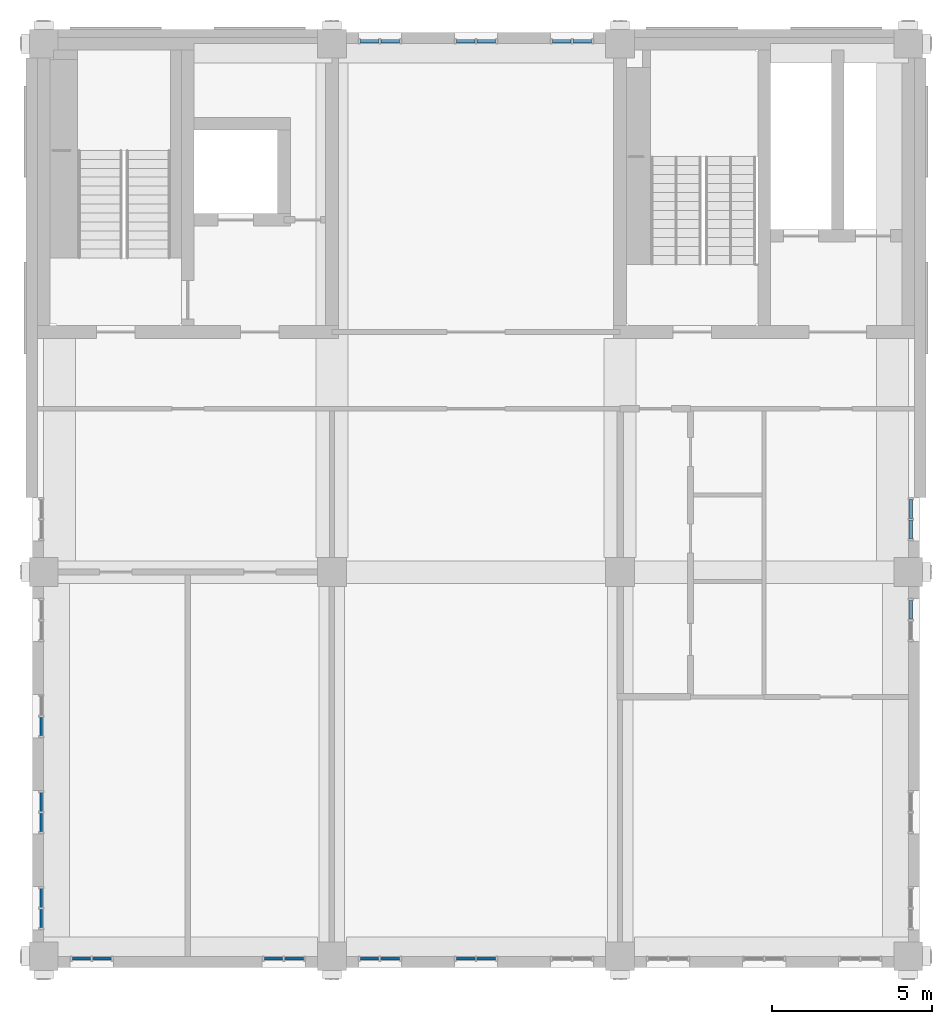
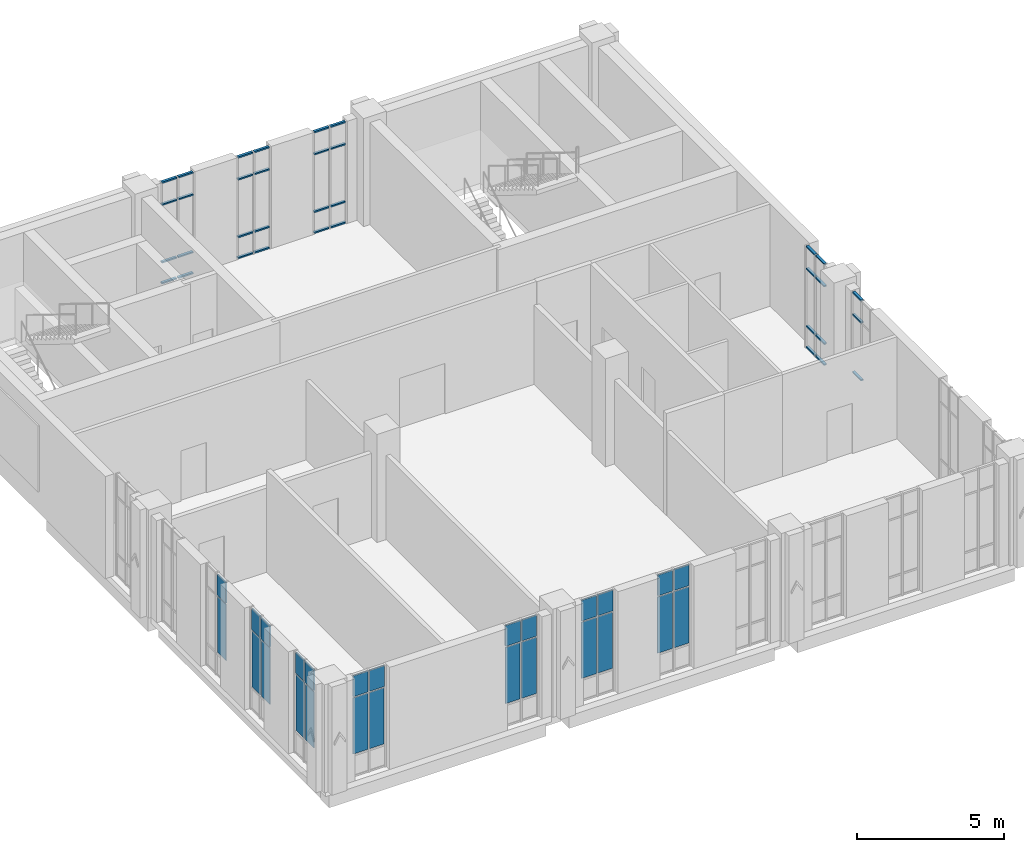
# One storey, part 6 of 13: 35 members, 26 plates, 12 elements without a shape of their own.
"""IFC4 building model written with IfcOpenShell, lengths in metres."""

from ifc_helpers import new_model, si_unit, direction, frame, origin, origin_2d, place, context, subcontext, project, spatial, rectangle, extrude, material, layer, layer_set, material_profile, profile_set, type_object, element, aggregate, save


model = new_model("IFC4")

# Units and contexts
model_context = context("Model", 3, precision=1e-05, world=origin(), true_north=direction((0.0, 1.0)))
body_context = subcontext(model_context, "Body", "Model", "MODEL_VIEW")
ifc_project = project(units=[si_unit("LENGTHUNIT", "METRE"), si_unit("AREAUNIT", "SQUARE_METRE"), si_unit("VOLUMEUNIT", "CUBIC_METRE"), si_unit("PLANEANGLEUNIT", "RADIAN"), si_unit("MASSUNIT", "GRAM", prefix="KILO")], contexts=[model_context])

# Site, building, storey
site_placement = place(None, origin())
site = spatial("IfcSite", under=ifc_project, at=site_placement, CompositionType="ELEMENT")
building_placement = place(site_placement, origin())
building = spatial("IfcBuilding", under=site, at=building_placement, Name="Aurelan Courthouse", CompositionType="ELEMENT")
storey_placement = place(building_placement, frame((0.0, 0.0, 48.89990234375)))
storey = spatial("IfcBuildingStorey", under=building, at=storey_placement, Name="L09", CompositionType="ELEMENT", Elevation=48.89990234375)

# Curtain wall, members
ifc_material_1 = material(Name="Bronze-finished aluminium and glass", Category="aluminium")
ifc_layer_1 = layer(ifc_material_1, 0.14990234375)
ifc_layer_set_1 = layer_set([ifc_layer_1], Name="Bronze-finished aluminium and glass")
curtain_wall_type = type_object("IfcCurtainWallType", Name="Curtain wall 1350 x 4250", PredefinedType="NOTDEFINED", material=ifc_layer_set_1)
curtain_wall_1_placement = place(storey_placement, origin())
curtain_wall_1 = element("IfcCurtainWall", 1, at=curtain_wall_1_placement, inside=storey, type_object=curtain_wall_type, Name="Curtain wall CW-V5-L09-N01", PredefinedType="NOTDEFINED")
ifc_material_2 = material(Name="Bronze-finished aluminium", Category="aluminium")
ifc_material_profile = material_profile(ifc_material_2, rectangle(XDim=0.10009765625, YDim=0.06005859375, at=origin_2d()), Name="Bronze transom 60 x 100")
ifc_profile_set = profile_set([ifc_material_profile], Name="Bronze-finished aluminium")
member_type = type_object("IfcMemberType", Name="Curtain wall transom 60 x 100", PredefinedType="USERDEFINED", material=ifc_profile_set)
member_1_placement = place(storey_placement, frame((9.885009765625, 28.574951171875, 0.030029296875), z_axis=(1.0, 0.0, 0.0), x_axis=(0.0, 1.0, 0.0)))
member_1 = element("IfcMember", 2, at=member_1_placement, type_object=member_type, Name="CW-V5-L09-N01 transom 1.1", ObjectType="TRANSOM", PredefinedType="USERDEFINED", context=body_context, shape_type="SweptSolid", body=[
    extrude(rectangle(XDim=0.10009765625, YDim=0.06005859375, at=origin_2d()), origin(), (0.0, 0.0, 1.0), 0.5849609375),
])
member_2_placement = place(storey_placement, frame((9.885009765625, 28.574951171875, 0.900146484375), z_axis=(1.0, 0.0, 0.0), x_axis=(0.0, 1.0, 0.0)))
member_2 = element("IfcMember", 3, at=member_2_placement, type_object=member_type, Name="CW-V5-L09-N01 transom 1.2", ObjectType="TRANSOM", PredefinedType="USERDEFINED", context=body_context, shape_type="SweptSolid", body=[
    extrude(rectangle(XDim=0.10009765625, YDim=0.06005859375, at=origin_2d()), origin(), (0.0, 0.0, 1.0), 0.5849609375),
])
member_3_placement = place(storey_placement, frame((9.885009765625, 28.574951171875, 3.300048828125), z_axis=(1.0, 0.0, 0.0), x_axis=(0.0, 1.0, 0.0)))
member_3 = element("IfcMember", 4, at=member_3_placement, type_object=member_type, Name="CW-V5-L09-N01 transom 1.3", ObjectType="TRANSOM", PredefinedType="USERDEFINED", context=body_context, shape_type="SweptSolid", body=[
    extrude(rectangle(XDim=0.10009765625, YDim=0.06005859375, at=origin_2d()), origin(), (0.0, 0.0, 1.0), 0.5849609375),
])
member_4_placement = place(storey_placement, frame((9.885009765625, 28.574951171875, 4.22021484375), z_axis=(1.0, 0.0, 0.0), x_axis=(0.0, 1.0, 0.0)))
member_4 = element("IfcMember", 5, at=member_4_placement, type_object=member_type, Name="CW-V5-L09-N01 transom 1.4", ObjectType="TRANSOM", PredefinedType="USERDEFINED", context=body_context, shape_type="SweptSolid", body=[
    extrude(rectangle(XDim=0.10009765625, YDim=0.06005859375, at=origin_2d()), origin(), (0.0, 0.0, 1.0), 0.5849609375),
])
member_5_placement = place(storey_placement, frame((10.530029296875, 28.574951171875, 0.030029296875), z_axis=(1.0, 0.0, 0.0), x_axis=(0.0, 1.0, 0.0)))
member_5 = element("IfcMember", 6, at=member_5_placement, type_object=member_type, Name="CW-V5-L09-N01 transom 2.1", ObjectType="TRANSOM", PredefinedType="USERDEFINED", context=body_context, shape_type="SweptSolid", body=[
    extrude(rectangle(XDim=0.10009765625, YDim=0.06005859375, at=origin_2d()), origin(), (0.0, 0.0, 1.0), 0.5849609375),
])
member_6_placement = place(storey_placement, frame((10.530029296875, 28.574951171875, 0.900146484375), z_axis=(1.0, 0.0, 0.0), x_axis=(0.0, 1.0, 0.0)))
member_6 = element("IfcMember", 7, at=member_6_placement, type_object=member_type, Name="CW-V5-L09-N01 transom 2.2", ObjectType="TRANSOM", PredefinedType="USERDEFINED", context=body_context, shape_type="SweptSolid", body=[
    extrude(rectangle(XDim=0.10009765625, YDim=0.06005859375, at=origin_2d()), origin(), (0.0, 0.0, 1.0), 0.5849609375),
])
member_7_placement = place(storey_placement, frame((10.530029296875, 28.574951171875, 3.300048828125), z_axis=(1.0, 0.0, 0.0), x_axis=(0.0, 1.0, 0.0)))
member_7 = element("IfcMember", 8, at=member_7_placement, type_object=member_type, Name="CW-V5-L09-N01 transom 2.3", ObjectType="TRANSOM", PredefinedType="USERDEFINED", context=body_context, shape_type="SweptSolid", body=[
    extrude(rectangle(XDim=0.10009765625, YDim=0.06005859375, at=origin_2d()), origin(), (0.0, 0.0, 1.0), 0.5849609375),
])
member_8_placement = place(storey_placement, frame((10.530029296875, 28.574951171875, 4.22021484375), z_axis=(1.0, 0.0, 0.0), x_axis=(0.0, 1.0, 0.0)))
member_8 = element("IfcMember", 9, at=member_8_placement, type_object=member_type, Name="CW-V5-L09-N01 transom 2.4", ObjectType="TRANSOM", PredefinedType="USERDEFINED", context=body_context, shape_type="SweptSolid", body=[
    extrude(rectangle(XDim=0.10009765625, YDim=0.06005859375, at=origin_2d()), origin(), (0.0, 0.0, 1.0), 0.5849609375),
])
aggregate(curtain_wall_1, [member_1, member_2, member_3, member_4, member_5, member_6, member_7, member_8])

curtain_wall_2_placement = place(storey_placement, origin())
curtain_wall_2 = element("IfcCurtainWall", 10, at=curtain_wall_2_placement, inside=storey, type_object=curtain_wall_type, Name="Curtain wall CW-V5-L09-N02", PredefinedType="NOTDEFINED")
member_9_placement = place(storey_placement, frame((12.885009765625, 28.574951171875, 0.030029296875), z_axis=(1.0, 0.0, 0.0), x_axis=(0.0, 1.0, 0.0)))
member_9 = element("IfcMember", 11, at=member_9_placement, type_object=member_type, Name="CW-V5-L09-N02 transom 1.1", ObjectType="TRANSOM", PredefinedType="USERDEFINED", context=body_context, shape_type="SweptSolid", body=[
    extrude(rectangle(XDim=0.10009765625, YDim=0.06005859375, at=origin_2d()), origin(), (0.0, 0.0, 1.0), 0.5849609375),
])
member_10_placement = place(storey_placement, frame((12.885009765625, 28.574951171875, 0.900146484375), z_axis=(1.0, 0.0, 0.0), x_axis=(0.0, 1.0, 0.0)))
member_10 = element("IfcMember", 12, at=member_10_placement, type_object=member_type, Name="CW-V5-L09-N02 transom 1.2", ObjectType="TRANSOM", PredefinedType="USERDEFINED", context=body_context, shape_type="SweptSolid", body=[
    extrude(rectangle(XDim=0.10009765625, YDim=0.06005859375, at=origin_2d()), origin(), (0.0, 0.0, 1.0), 0.5849609375),
])
member_11_placement = place(storey_placement, frame((12.885009765625, 28.574951171875, 3.300048828125), z_axis=(1.0, 0.0, 0.0), x_axis=(0.0, 1.0, 0.0)))
member_11 = element("IfcMember", 13, at=member_11_placement, type_object=member_type, Name="CW-V5-L09-N02 transom 1.3", ObjectType="TRANSOM", PredefinedType="USERDEFINED", context=body_context, shape_type="SweptSolid", body=[
    extrude(rectangle(XDim=0.10009765625, YDim=0.06005859375, at=origin_2d()), origin(), (0.0, 0.0, 1.0), 0.5849609375),
])
member_12_placement = place(storey_placement, frame((12.885009765625, 28.574951171875, 4.22021484375), z_axis=(1.0, 0.0, 0.0), x_axis=(0.0, 1.0, 0.0)))
member_12 = element("IfcMember", 14, at=member_12_placement, type_object=member_type, Name="CW-V5-L09-N02 transom 1.4", ObjectType="TRANSOM", PredefinedType="USERDEFINED", context=body_context, shape_type="SweptSolid", body=[
    extrude(rectangle(XDim=0.10009765625, YDim=0.06005859375, at=origin_2d()), origin(), (0.0, 0.0, 1.0), 0.5849609375),
])
member_13_placement = place(storey_placement, frame((13.530029296875, 28.574951171875, 0.030029296875), z_axis=(1.0, 0.0, 0.0), x_axis=(0.0, 1.0, 0.0)))
member_13 = element("IfcMember", 15, at=member_13_placement, type_object=member_type, Name="CW-V5-L09-N02 transom 2.1", ObjectType="TRANSOM", PredefinedType="USERDEFINED", context=body_context, shape_type="SweptSolid", body=[
    extrude(rectangle(XDim=0.10009765625, YDim=0.06005859375, at=origin_2d()), origin(), (0.0, 0.0, 1.0), 0.5849609375),
])
member_14_placement = place(storey_placement, frame((13.530029296875, 28.574951171875, 0.900146484375), z_axis=(1.0, 0.0, 0.0), x_axis=(0.0, 1.0, 0.0)))
member_14 = element("IfcMember", 16, at=member_14_placement, type_object=member_type, Name="CW-V5-L09-N02 transom 2.2", ObjectType="TRANSOM", PredefinedType="USERDEFINED", context=body_context, shape_type="SweptSolid", body=[
    extrude(rectangle(XDim=0.10009765625, YDim=0.06005859375, at=origin_2d()), origin(), (0.0, 0.0, 1.0), 0.5849609375),
])
member_15_placement = place(storey_placement, frame((13.530029296875, 28.574951171875, 3.300048828125), z_axis=(1.0, 0.0, 0.0), x_axis=(0.0, 1.0, 0.0)))
member_15 = element("IfcMember", 17, at=member_15_placement, type_object=member_type, Name="CW-V5-L09-N02 transom 2.3", ObjectType="TRANSOM", PredefinedType="USERDEFINED", context=body_context, shape_type="SweptSolid", body=[
    extrude(rectangle(XDim=0.10009765625, YDim=0.06005859375, at=origin_2d()), origin(), (0.0, 0.0, 1.0), 0.5849609375),
])
member_16_placement = place(storey_placement, frame((13.530029296875, 28.574951171875, 4.22021484375), z_axis=(1.0, 0.0, 0.0), x_axis=(0.0, 1.0, 0.0)))
member_16 = element("IfcMember", 18, at=member_16_placement, type_object=member_type, Name="CW-V5-L09-N02 transom 2.4", ObjectType="TRANSOM", PredefinedType="USERDEFINED", context=body_context, shape_type="SweptSolid", body=[
    extrude(rectangle(XDim=0.10009765625, YDim=0.06005859375, at=origin_2d()), origin(), (0.0, 0.0, 1.0), 0.5849609375),
])
aggregate(curtain_wall_2, [member_9, member_10, member_11, member_12, member_13, member_14, member_15, member_16])

curtain_wall_3_placement = place(storey_placement, origin())
curtain_wall_3 = element("IfcCurtainWall", 19, at=curtain_wall_3_placement, inside=storey, type_object=curtain_wall_type, Name="Curtain wall CW-V5-L09-N03", PredefinedType="NOTDEFINED")
member_17_placement = place(storey_placement, frame((15.885009765625, 28.574951171875, 0.030029296875), z_axis=(1.0, 0.0, 0.0), x_axis=(0.0, 1.0, 0.0)))
member_17 = element("IfcMember", 20, at=member_17_placement, type_object=member_type, Name="CW-V5-L09-N03 transom 1.1", ObjectType="TRANSOM", PredefinedType="USERDEFINED", context=body_context, shape_type="SweptSolid", body=[
    extrude(rectangle(XDim=0.10009765625, YDim=0.06005859375, at=origin_2d()), origin(), (0.0, 0.0, 1.0), 0.5849609375),
])
member_18_placement = place(storey_placement, frame((15.885009765625, 28.574951171875, 0.900146484375), z_axis=(1.0, 0.0, 0.0), x_axis=(0.0, 1.0, 0.0)))
member_18 = element("IfcMember", 21, at=member_18_placement, type_object=member_type, Name="CW-V5-L09-N03 transom 1.2", ObjectType="TRANSOM", PredefinedType="USERDEFINED", context=body_context, shape_type="SweptSolid", body=[
    extrude(rectangle(XDim=0.10009765625, YDim=0.06005859375, at=origin_2d()), origin(), (0.0, 0.0, 1.0), 0.5849609375),
])
member_19_placement = place(storey_placement, frame((15.885009765625, 28.574951171875, 3.300048828125), z_axis=(1.0, 0.0, 0.0), x_axis=(0.0, 1.0, 0.0)))
member_19 = element("IfcMember", 22, at=member_19_placement, type_object=member_type, Name="CW-V5-L09-N03 transom 1.3", ObjectType="TRANSOM", PredefinedType="USERDEFINED", context=body_context, shape_type="SweptSolid", body=[
    extrude(rectangle(XDim=0.10009765625, YDim=0.06005859375, at=origin_2d()), origin(), (0.0, 0.0, 1.0), 0.5849609375),
])
member_20_placement = place(storey_placement, frame((15.885009765625, 28.574951171875, 4.22021484375), z_axis=(1.0, 0.0, 0.0), x_axis=(0.0, 1.0, 0.0)))
member_20 = element("IfcMember", 23, at=member_20_placement, type_object=member_type, Name="CW-V5-L09-N03 transom 1.4", ObjectType="TRANSOM", PredefinedType="USERDEFINED", context=body_context, shape_type="SweptSolid", body=[
    extrude(rectangle(XDim=0.10009765625, YDim=0.06005859375, at=origin_2d()), origin(), (0.0, 0.0, 1.0), 0.5849609375),
])
member_21_placement = place(storey_placement, frame((16.530029296875, 28.574951171875, 0.030029296875), z_axis=(1.0, 0.0, 0.0), x_axis=(0.0, 1.0, 0.0)))
member_21 = element("IfcMember", 24, at=member_21_placement, type_object=member_type, Name="CW-V5-L09-N03 transom 2.1", ObjectType="TRANSOM", PredefinedType="USERDEFINED", context=body_context, shape_type="SweptSolid", body=[
    extrude(rectangle(XDim=0.10009765625, YDim=0.06005859375, at=origin_2d()), origin(), (0.0, 0.0, 1.0), 0.5849609375),
])
member_22_placement = place(storey_placement, frame((16.530029296875, 28.574951171875, 0.900146484375), z_axis=(1.0, 0.0, 0.0), x_axis=(0.0, 1.0, 0.0)))
member_22 = element("IfcMember", 25, at=member_22_placement, type_object=member_type, Name="CW-V5-L09-N03 transom 2.2", ObjectType="TRANSOM", PredefinedType="USERDEFINED", context=body_context, shape_type="SweptSolid", body=[
    extrude(rectangle(XDim=0.10009765625, YDim=0.06005859375, at=origin_2d()), origin(), (0.0, 0.0, 1.0), 0.5849609375),
])
member_23_placement = place(storey_placement, frame((16.530029296875, 28.574951171875, 3.300048828125), z_axis=(1.0, 0.0, 0.0), x_axis=(0.0, 1.0, 0.0)))
member_23 = element("IfcMember", 26, at=member_23_placement, type_object=member_type, Name="CW-V5-L09-N03 transom 2.3", ObjectType="TRANSOM", PredefinedType="USERDEFINED", context=body_context, shape_type="SweptSolid", body=[
    extrude(rectangle(XDim=0.10009765625, YDim=0.06005859375, at=origin_2d()), origin(), (0.0, 0.0, 1.0), 0.5849609375),
])
member_24_placement = place(storey_placement, frame((16.530029296875, 28.574951171875, 4.22021484375), z_axis=(1.0, 0.0, 0.0), x_axis=(0.0, 1.0, 0.0)))
member_24 = element("IfcMember", 27, at=member_24_placement, type_object=member_type, Name="CW-V5-L09-N03 transom 2.4", ObjectType="TRANSOM", PredefinedType="USERDEFINED", context=body_context, shape_type="SweptSolid", body=[
    extrude(rectangle(XDim=0.10009765625, YDim=0.06005859375, at=origin_2d()), origin(), (0.0, 0.0, 1.0), 0.5849609375),
])
aggregate(curtain_wall_3, [member_17, member_18, member_19, member_20, member_21, member_22, member_23, member_24])

curtain_wall_4_placement = place(storey_placement, origin())
curtain_wall_4 = element("IfcCurtainWall", 28, at=curtain_wall_4_placement, inside=storey, type_object=curtain_wall_type, Name="Curtain wall CW-V5-L09-E03", PredefinedType="NOTDEFINED")
member_25_placement = place(storey_placement, frame((27.074951171875, 10.530029296875, 0.900146484375), z_axis=(0.0, 1.0, 0.0), x_axis=(-1.0, 0.0, 0.0)))
member_25 = element("IfcMember", 29, at=member_25_placement, type_object=member_type, Name="CW-V5-L09-E03 transom 2.2", ObjectType="TRANSOM", PredefinedType="USERDEFINED", context=body_context, shape_type="SweptSolid", body=[
    extrude(rectangle(XDim=0.10009765625, YDim=0.06005859375, at=origin_2d()), origin(), (0.0, 0.0, 1.0), 0.5849609375),
])
member_26_placement = place(storey_placement, frame((27.074951171875, 10.530029296875, 3.300048828125), z_axis=(0.0, 1.0, 0.0), x_axis=(-1.0, 0.0, 0.0)))
member_26 = element("IfcMember", 30, at=member_26_placement, type_object=member_type, Name="CW-V5-L09-E03 transom 2.3", ObjectType="TRANSOM", PredefinedType="USERDEFINED", context=body_context, shape_type="SweptSolid", body=[
    extrude(rectangle(XDim=0.10009765625, YDim=0.06005859375, at=origin_2d()), origin(), (0.0, 0.0, 1.0), 0.5849609375),
])
member_27_placement = place(storey_placement, frame((27.074951171875, 10.530029296875, 4.22021484375), z_axis=(0.0, 1.0, 0.0), x_axis=(-1.0, 0.0, 0.0)))
member_27 = element("IfcMember", 31, at=member_27_placement, type_object=member_type, Name="CW-V5-L09-E03 transom 2.4", ObjectType="TRANSOM", PredefinedType="USERDEFINED", context=body_context, shape_type="SweptSolid", body=[
    extrude(rectangle(XDim=0.10009765625, YDim=0.06005859375, at=origin_2d()), origin(), (0.0, 0.0, 1.0), 0.5849609375),
])
aggregate(curtain_wall_4, [member_25, member_26, member_27])

curtain_wall_5_placement = place(storey_placement, origin())
curtain_wall_5 = element("IfcCurtainWall", 32, at=curtain_wall_5_placement, inside=storey, type_object=curtain_wall_type, Name="Curtain wall CW-V5-L09-E04", PredefinedType="NOTDEFINED")
member_28_placement = place(storey_placement, frame((27.074951171875, 13.034912109375, 0.030029296875), z_axis=(0.0, 1.0, 0.0), x_axis=(-1.0, 0.0, 0.0)))
member_28 = element("IfcMember", 33, at=member_28_placement, type_object=member_type, Name="CW-V5-L09-E04 transom 1.1", ObjectType="TRANSOM", PredefinedType="USERDEFINED", context=body_context, shape_type="SweptSolid", body=[
    extrude(rectangle(XDim=0.10009765625, YDim=0.06005859375, at=origin_2d()), origin(), (0.0, 0.0, 1.0), 0.585205078125),
])
member_29_placement = place(storey_placement, frame((27.074951171875, 13.034912109375, 0.900146484375), z_axis=(0.0, 1.0, 0.0), x_axis=(-1.0, 0.0, 0.0)))
member_29 = element("IfcMember", 34, at=member_29_placement, type_object=member_type, Name="CW-V5-L09-E04 transom 1.2", ObjectType="TRANSOM", PredefinedType="USERDEFINED", context=body_context, shape_type="SweptSolid", body=[
    extrude(rectangle(XDim=0.10009765625, YDim=0.06005859375, at=origin_2d()), origin(), (0.0, 0.0, 1.0), 0.585205078125),
])
member_30_placement = place(storey_placement, frame((27.074951171875, 13.034912109375, 3.300048828125), z_axis=(0.0, 1.0, 0.0), x_axis=(-1.0, 0.0, 0.0)))
member_30 = element("IfcMember", 35, at=member_30_placement, type_object=member_type, Name="CW-V5-L09-E04 transom 1.3", ObjectType="TRANSOM", PredefinedType="USERDEFINED", context=body_context, shape_type="SweptSolid", body=[
    extrude(rectangle(XDim=0.10009765625, YDim=0.06005859375, at=origin_2d()), origin(), (0.0, 0.0, 1.0), 0.585205078125),
])
member_31_placement = place(storey_placement, frame((27.074951171875, 13.034912109375, 4.22021484375), z_axis=(0.0, 1.0, 0.0), x_axis=(-1.0, 0.0, 0.0)))
member_31 = element("IfcMember", 36, at=member_31_placement, type_object=member_type, Name="CW-V5-L09-E04 transom 1.4", ObjectType="TRANSOM", PredefinedType="USERDEFINED", context=body_context, shape_type="SweptSolid", body=[
    extrude(rectangle(XDim=0.10009765625, YDim=0.06005859375, at=origin_2d()), origin(), (0.0, 0.0, 1.0), 0.585205078125),
])
member_32_placement = place(storey_placement, frame((27.074951171875, 13.679931640625, 0.030029296875), z_axis=(0.0, 1.0, 0.0), x_axis=(-1.0, 0.0, 0.0)))
member_32 = element("IfcMember", 37, at=member_32_placement, type_object=member_type, Name="CW-V5-L09-E04 transom 2.1", ObjectType="TRANSOM", PredefinedType="USERDEFINED", context=body_context, shape_type="SweptSolid", body=[
    extrude(rectangle(XDim=0.10009765625, YDim=0.06005859375, at=origin_2d()), origin(), (0.0, 0.0, 1.0), 0.5849609375),
])
member_33_placement = place(storey_placement, frame((27.074951171875, 13.679931640625, 0.900146484375), z_axis=(0.0, 1.0, 0.0), x_axis=(-1.0, 0.0, 0.0)))
member_33 = element("IfcMember", 38, at=member_33_placement, type_object=member_type, Name="CW-V5-L09-E04 transom 2.2", ObjectType="TRANSOM", PredefinedType="USERDEFINED", context=body_context, shape_type="SweptSolid", body=[
    extrude(rectangle(XDim=0.10009765625, YDim=0.06005859375, at=origin_2d()), origin(), (0.0, 0.0, 1.0), 0.5849609375),
])
member_34_placement = place(storey_placement, frame((27.074951171875, 13.679931640625, 3.300048828125), z_axis=(0.0, 1.0, 0.0), x_axis=(-1.0, 0.0, 0.0)))
member_34 = element("IfcMember", 39, at=member_34_placement, type_object=member_type, Name="CW-V5-L09-E04 transom 2.3", ObjectType="TRANSOM", PredefinedType="USERDEFINED", context=body_context, shape_type="SweptSolid", body=[
    extrude(rectangle(XDim=0.10009765625, YDim=0.06005859375, at=origin_2d()), origin(), (0.0, 0.0, 1.0), 0.5849609375),
])
member_35_placement = place(storey_placement, frame((27.074951171875, 13.679931640625, 4.22021484375), z_axis=(0.0, 1.0, 0.0), x_axis=(-1.0, 0.0, 0.0)))
member_35 = element("IfcMember", 40, at=member_35_placement, type_object=member_type, Name="CW-V5-L09-E04 transom 2.4", ObjectType="TRANSOM", PredefinedType="USERDEFINED", context=body_context, shape_type="SweptSolid", body=[
    extrude(rectangle(XDim=0.10009765625, YDim=0.06005859375, at=origin_2d()), origin(), (0.0, 0.0, 1.0), 0.5849609375),
])
aggregate(curtain_wall_5, [member_28, member_29, member_30, member_31, member_32, member_33, member_34, member_35])

# Curtain wall, plates
curtain_wall_6_placement = place(storey_placement, origin())
curtain_wall_6 = element("IfcCurtainWall", 41, at=curtain_wall_6_placement, inside=storey, type_object=curtain_wall_type, Name="Curtain wall CW-V5-L09-S01", PredefinedType="NOTDEFINED")
ifc_material_3 = material(Name="Limestone cladding", Category="masonry")
ifc_layer_2 = layer(ifc_material_3, 0.0400390625, Name="Facing")
ifc_material_4 = material(Name="Bronze sheet cladding", Category="bronze")
ifc_layer_3 = layer(ifc_material_4, 0.02001953125, Name="Back sheet")
ifc_layer_set_2 = layer_set([ifc_layer_2, ifc_layer_3], Name="Limestone cladding")
plate_type_1 = type_object("IfcPlateType", Name="Limestone spandrel panel with bronze back sheet 60", PredefinedType="CURTAIN_PANEL", material=ifc_layer_set_2)
plate_1_placement = place(storey_placement, frame((1.177490234375, -0.074951171875, 3.330078125), z_axis=(0.0, 0.0, 1.0), x_axis=(1.0, 0.0, 0.0)))
plate_1 = element("IfcPlate", 42, at=plate_1_placement, type_object=plate_type_1, Name="CW-V5-L09-S01 spandrel panel 1.3", PredefinedType="CURTAIN_PANEL", context=body_context, shape_type="SweptSolid", body=[
    extrude(rectangle(XDim=0.5849609375, YDim=0.06005859375, at=origin_2d()), origin(), (0.0, 0.0, 1.0), 0.860107421875),
])
plate_2_placement = place(storey_placement, frame((1.822509765625, -0.074951171875, 3.330078125), z_axis=(0.0, 0.0, 1.0), x_axis=(1.0, 0.0, 0.0)))
plate_2 = element("IfcPlate", 43, at=plate_2_placement, type_object=plate_type_1, Name="CW-V5-L09-S01 spandrel panel 2.3", PredefinedType="CURTAIN_PANEL", context=body_context, shape_type="SweptSolid", body=[
    extrude(rectangle(XDim=0.5849609375, YDim=0.06005859375, at=origin_2d()), origin(), (0.0, 0.0, 1.0), 0.860107421875),
])

curtain_wall_7_placement = place(storey_placement, origin())
curtain_wall_7 = element("IfcCurtainWall", 44, at=curtain_wall_7_placement, inside=storey, type_object=curtain_wall_type, Name="Curtain wall CW-V5-L09-S02", PredefinedType="NOTDEFINED")
plate_3_placement = place(storey_placement, frame((7.177490234375, -0.074951171875, 3.330078125), z_axis=(0.0, 0.0, 1.0), x_axis=(1.0, 0.0, 0.0)))
plate_3 = element("IfcPlate", 45, at=plate_3_placement, type_object=plate_type_1, Name="CW-V5-L09-S02 spandrel panel 1.3", PredefinedType="CURTAIN_PANEL", context=body_context, shape_type="SweptSolid", body=[
    extrude(rectangle(XDim=0.5849609375, YDim=0.06005859375, at=origin_2d()), origin(), (0.0, 0.0, 1.0), 0.860107421875),
])
plate_4_placement = place(storey_placement, frame((7.822509765625, -0.074951171875, 3.330078125), z_axis=(0.0, 0.0, 1.0), x_axis=(1.0, 0.0, 0.0)))
plate_4 = element("IfcPlate", 46, at=plate_4_placement, type_object=plate_type_1, Name="CW-V5-L09-S02 spandrel panel 2.3", PredefinedType="CURTAIN_PANEL", context=body_context, shape_type="SweptSolid", body=[
    extrude(rectangle(XDim=0.5849609375, YDim=0.06005859375, at=origin_2d()), origin(), (0.0, 0.0, 1.0), 0.860107421875),
])

curtain_wall_8_placement = place(storey_placement, origin())
curtain_wall_8 = element("IfcCurtainWall", 47, at=curtain_wall_8_placement, inside=storey, type_object=curtain_wall_type, Name="Curtain wall CW-V5-L09-S03", PredefinedType="NOTDEFINED")
plate_5_placement = place(storey_placement, frame((10.177490234375, -0.074951171875, 3.330078125), z_axis=(0.0, 0.0, 1.0), x_axis=(1.0, 0.0, 0.0)))
plate_5 = element("IfcPlate", 48, at=plate_5_placement, type_object=plate_type_1, Name="CW-V5-L09-S03 spandrel panel 1.3", PredefinedType="CURTAIN_PANEL", context=body_context, shape_type="SweptSolid", body=[
    extrude(rectangle(XDim=0.5849609375, YDim=0.06005859375, at=origin_2d()), origin(), (0.0, 0.0, 1.0), 0.860107421875),
])
plate_6_placement = place(storey_placement, frame((10.822509765625, -0.074951171875, 3.330078125), z_axis=(0.0, 0.0, 1.0), x_axis=(1.0, 0.0, 0.0)))
plate_6 = element("IfcPlate", 49, at=plate_6_placement, type_object=plate_type_1, Name="CW-V5-L09-S03 spandrel panel 2.3", PredefinedType="CURTAIN_PANEL", context=body_context, shape_type="SweptSolid", body=[
    extrude(rectangle(XDim=0.5849609375, YDim=0.06005859375, at=origin_2d()), origin(), (0.0, 0.0, 1.0), 0.860107421875),
])

curtain_wall_9_placement = place(storey_placement, origin())
curtain_wall_9 = element("IfcCurtainWall", 50, at=curtain_wall_9_placement, inside=storey, type_object=curtain_wall_type, Name="Curtain wall CW-V5-L09-S04", PredefinedType="NOTDEFINED")
plate_7_placement = place(storey_placement, frame((13.177490234375, -0.074951171875, 3.330078125), z_axis=(0.0, 0.0, 1.0), x_axis=(1.0, 0.0, 0.0)))
plate_7 = element("IfcPlate", 51, at=plate_7_placement, type_object=plate_type_1, Name="CW-V5-L09-S04 spandrel panel 1.3", PredefinedType="CURTAIN_PANEL", context=body_context, shape_type="SweptSolid", body=[
    extrude(rectangle(XDim=0.5849609375, YDim=0.06005859375, at=origin_2d()), origin(), (0.0, 0.0, 1.0), 0.860107421875),
])
plate_8_placement = place(storey_placement, frame((13.822509765625, -0.074951171875, 3.330078125), z_axis=(0.0, 0.0, 1.0), x_axis=(1.0, 0.0, 0.0)))
plate_8 = element("IfcPlate", 52, at=plate_8_placement, type_object=plate_type_1, Name="CW-V5-L09-S04 spandrel panel 2.3", PredefinedType="CURTAIN_PANEL", context=body_context, shape_type="SweptSolid", body=[
    extrude(rectangle(XDim=0.5849609375, YDim=0.06005859375, at=origin_2d()), origin(), (0.0, 0.0, 1.0), 0.860107421875),
])

curtain_wall_10_placement = place(storey_placement, origin())
curtain_wall_10 = element("IfcCurtainWall", 53, at=curtain_wall_10_placement, inside=storey, type_object=curtain_wall_type, Name="Curtain wall CW-V5-L09-W01", PredefinedType="NOTDEFINED")
plate_9_placement = place(storey_placement, frame((-0.074951171875, 1.177490234375, 3.330078125), z_axis=(0.0, 0.0, 1.0), x_axis=(0.0, 1.0, 0.0)))
plate_9 = element("IfcPlate", 54, at=plate_9_placement, type_object=plate_type_1, Name="CW-V5-L09-W01 spandrel panel 1.3", PredefinedType="CURTAIN_PANEL", context=body_context, shape_type="SweptSolid", body=[
    extrude(rectangle(XDim=0.5849609375, YDim=0.06005859375, at=origin_2d()), origin(), (0.0, 0.0, 1.0), 0.860107421875),
])
plate_10_placement = place(storey_placement, frame((-0.074951171875, 1.822509765625, 3.330078125), z_axis=(0.0, 0.0, 1.0), x_axis=(0.0, 1.0, 0.0)))
plate_10 = element("IfcPlate", 55, at=plate_10_placement, type_object=plate_type_1, Name="CW-V5-L09-W01 spandrel panel 2.3", PredefinedType="CURTAIN_PANEL", context=body_context, shape_type="SweptSolid", body=[
    extrude(rectangle(XDim=0.5849609375, YDim=0.06005859375, at=origin_2d()), origin(), (0.0, 0.0, 1.0), 0.860107421875),
])

curtain_wall_11_placement = place(storey_placement, origin())
curtain_wall_11 = element("IfcCurtainWall", 56, at=curtain_wall_11_placement, inside=storey, type_object=curtain_wall_type, Name="Curtain wall CW-V5-L09-W02", PredefinedType="NOTDEFINED")
plate_11_placement = place(storey_placement, frame((-0.074951171875, 4.177490234375, 3.330078125), z_axis=(0.0, 0.0, 1.0), x_axis=(0.0, 1.0, 0.0)))
plate_11 = element("IfcPlate", 57, at=plate_11_placement, type_object=plate_type_1, Name="CW-V5-L09-W02 spandrel panel 1.3", PredefinedType="CURTAIN_PANEL", context=body_context, shape_type="SweptSolid", body=[
    extrude(rectangle(XDim=0.5849609375, YDim=0.06005859375, at=origin_2d()), origin(), (0.0, 0.0, 1.0), 0.860107421875),
])
plate_12_placement = place(storey_placement, frame((-0.074951171875, 4.822509765625, 3.330078125), z_axis=(0.0, 0.0, 1.0), x_axis=(0.0, 1.0, 0.0)))
plate_12 = element("IfcPlate", 58, at=plate_12_placement, type_object=plate_type_1, Name="CW-V5-L09-W02 spandrel panel 2.3", PredefinedType="CURTAIN_PANEL", context=body_context, shape_type="SweptSolid", body=[
    extrude(rectangle(XDim=0.5849609375, YDim=0.06005859375, at=origin_2d()), origin(), (0.0, 0.0, 1.0), 0.860107421875),
])

# Curtain wall, plate
curtain_wall_12_placement = place(storey_placement, origin())
curtain_wall_12 = element("IfcCurtainWall", 59, at=curtain_wall_12_placement, inside=storey, type_object=curtain_wall_type, Name="Curtain wall CW-V5-L09-W03", PredefinedType="NOTDEFINED")
plate_13_placement = place(storey_placement, frame((-0.074951171875, 7.177490234375, 3.330078125), z_axis=(0.0, 0.0, 1.0), x_axis=(0.0, 1.0, 0.0)))
plate_13 = element("IfcPlate", 60, at=plate_13_placement, type_object=plate_type_1, Name="CW-V5-L09-W03 spandrel panel 1.3", PredefinedType="CURTAIN_PANEL", context=body_context, shape_type="SweptSolid", body=[
    extrude(rectangle(XDim=0.5849609375, YDim=0.06005859375, at=origin_2d()), origin(), (0.0, 0.0, 1.0), 0.860107421875),
])

# Plate
ifc_material_5 = material(Name="Laminated low-emissivity glass", Category="glass")
ifc_layer_4 = layer(ifc_material_5, 0.028076171875)
ifc_layer_set_3 = layer_set([ifc_layer_4], Name="Laminated low-emissivity glass")
plate_type_2 = type_object("IfcPlateType", Name="Vision glass panel 28", PredefinedType="CURTAIN_PANEL", material=ifc_layer_set_3)
plate_14_placement = place(storey_placement, frame((1.177490234375, -0.074951171875, 0.93017578125), z_axis=(0.0, 0.0, 1.0), x_axis=(1.0, 0.0, 0.0)))
plate_14 = element("IfcPlate", 61, at=plate_14_placement, type_object=plate_type_2, Name="CW-V5-L09-S01 vision panel 1.2", PredefinedType="CURTAIN_PANEL", context=body_context, shape_type="SweptSolid", body=[
    extrude(rectangle(XDim=0.5849609375, YDim=0.028076171875, at=origin_2d()), origin(), (0.0, 0.0, 1.0), 2.340087890625),
])

plate_15_placement = place(storey_placement, frame((1.822509765625, -0.074951171875, 0.93017578125), z_axis=(0.0, 0.0, 1.0), x_axis=(1.0, 0.0, 0.0)))
plate_15 = element("IfcPlate", 62, at=plate_15_placement, type_object=plate_type_2, Name="CW-V5-L09-S01 vision panel 2.2", PredefinedType="CURTAIN_PANEL", context=body_context, shape_type="SweptSolid", body=[
    extrude(rectangle(XDim=0.5849609375, YDim=0.028076171875, at=origin_2d()), origin(), (0.0, 0.0, 1.0), 2.340087890625),
])

aggregate(curtain_wall_6, [plate_14, plate_1, plate_15, plate_2])

plate_16_placement = place(storey_placement, frame((7.177490234375, -0.074951171875, 0.93017578125), z_axis=(0.0, 0.0, 1.0), x_axis=(1.0, 0.0, 0.0)))
plate_16 = element("IfcPlate", 63, at=plate_16_placement, type_object=plate_type_2, Name="CW-V5-L09-S02 vision panel 1.2", PredefinedType="CURTAIN_PANEL", context=body_context, shape_type="SweptSolid", body=[
    extrude(rectangle(XDim=0.5849609375, YDim=0.028076171875, at=origin_2d()), origin(), (0.0, 0.0, 1.0), 2.340087890625),
])

plate_17_placement = place(storey_placement, frame((7.822509765625, -0.074951171875, 0.93017578125), z_axis=(0.0, 0.0, 1.0), x_axis=(1.0, 0.0, 0.0)))
plate_17 = element("IfcPlate", 64, at=plate_17_placement, type_object=plate_type_2, Name="CW-V5-L09-S02 vision panel 2.2", PredefinedType="CURTAIN_PANEL", context=body_context, shape_type="SweptSolid", body=[
    extrude(rectangle(XDim=0.5849609375, YDim=0.028076171875, at=origin_2d()), origin(), (0.0, 0.0, 1.0), 2.340087890625),
])

aggregate(curtain_wall_7, [plate_16, plate_3, plate_17, plate_4])

plate_18_placement = place(storey_placement, frame((10.177490234375, -0.074951171875, 0.93017578125), z_axis=(0.0, 0.0, 1.0), x_axis=(1.0, 0.0, 0.0)))
plate_18 = element("IfcPlate", 65, at=plate_18_placement, type_object=plate_type_2, Name="CW-V5-L09-S03 vision panel 1.2", PredefinedType="CURTAIN_PANEL", context=body_context, shape_type="SweptSolid", body=[
    extrude(rectangle(XDim=0.5849609375, YDim=0.028076171875, at=origin_2d()), origin(), (0.0, 0.0, 1.0), 2.340087890625),
])

plate_19_placement = place(storey_placement, frame((10.822509765625, -0.074951171875, 0.93017578125), z_axis=(0.0, 0.0, 1.0), x_axis=(1.0, 0.0, 0.0)))
plate_19 = element("IfcPlate", 66, at=plate_19_placement, type_object=plate_type_2, Name="CW-V5-L09-S03 vision panel 2.2", PredefinedType="CURTAIN_PANEL", context=body_context, shape_type="SweptSolid", body=[
    extrude(rectangle(XDim=0.5849609375, YDim=0.028076171875, at=origin_2d()), origin(), (0.0, 0.0, 1.0), 2.340087890625),
])

aggregate(curtain_wall_8, [plate_18, plate_5, plate_19, plate_6])

plate_20_placement = place(storey_placement, frame((13.177490234375, -0.074951171875, 0.93017578125), z_axis=(0.0, 0.0, 1.0), x_axis=(1.0, 0.0, 0.0)))
plate_20 = element("IfcPlate", 67, at=plate_20_placement, type_object=plate_type_2, Name="CW-V5-L09-S04 vision panel 1.2", PredefinedType="CURTAIN_PANEL", context=body_context, shape_type="SweptSolid", body=[
    extrude(rectangle(XDim=0.5849609375, YDim=0.028076171875, at=origin_2d()), origin(), (0.0, 0.0, 1.0), 2.340087890625),
])

plate_21_placement = place(storey_placement, frame((13.822509765625, -0.074951171875, 0.93017578125), z_axis=(0.0, 0.0, 1.0), x_axis=(1.0, 0.0, 0.0)))
plate_21 = element("IfcPlate", 68, at=plate_21_placement, type_object=plate_type_2, Name="CW-V5-L09-S04 vision panel 2.2", PredefinedType="CURTAIN_PANEL", context=body_context, shape_type="SweptSolid", body=[
    extrude(rectangle(XDim=0.5849609375, YDim=0.028076171875, at=origin_2d()), origin(), (0.0, 0.0, 1.0), 2.340087890625),
])

aggregate(curtain_wall_9, [plate_20, plate_7, plate_21, plate_8])

plate_22_placement = place(storey_placement, frame((-0.074951171875, 1.177490234375, 0.93017578125), z_axis=(0.0, 0.0, 1.0), x_axis=(0.0, 1.0, 0.0)))
plate_22 = element("IfcPlate", 69, at=plate_22_placement, type_object=plate_type_2, Name="CW-V5-L09-W01 vision panel 1.2", PredefinedType="CURTAIN_PANEL", context=body_context, shape_type="SweptSolid", body=[
    extrude(rectangle(XDim=0.5849609375, YDim=0.028076171875, at=origin_2d()), origin(), (0.0, 0.0, 1.0), 2.340087890625),
])

plate_23_placement = place(storey_placement, frame((-0.074951171875, 1.822509765625, 0.93017578125), z_axis=(0.0, 0.0, 1.0), x_axis=(0.0, 1.0, 0.0)))
plate_23 = element("IfcPlate", 70, at=plate_23_placement, type_object=plate_type_2, Name="CW-V5-L09-W01 vision panel 2.2", PredefinedType="CURTAIN_PANEL", context=body_context, shape_type="SweptSolid", body=[
    extrude(rectangle(XDim=0.5849609375, YDim=0.028076171875, at=origin_2d()), origin(), (0.0, 0.0, 1.0), 2.340087890625),
])

aggregate(curtain_wall_10, [plate_22, plate_9, plate_23, plate_10])

plate_24_placement = place(storey_placement, frame((-0.074951171875, 4.177490234375, 0.93017578125), z_axis=(0.0, 0.0, 1.0), x_axis=(0.0, 1.0, 0.0)))
plate_24 = element("IfcPlate", 71, at=plate_24_placement, type_object=plate_type_2, Name="CW-V5-L09-W02 vision panel 1.2", PredefinedType="CURTAIN_PANEL", context=body_context, shape_type="SweptSolid", body=[
    extrude(rectangle(XDim=0.5849609375, YDim=0.028076171875, at=origin_2d()), origin(), (0.0, 0.0, 1.0), 2.340087890625),
])

plate_25_placement = place(storey_placement, frame((-0.074951171875, 4.822509765625, 0.93017578125), z_axis=(0.0, 0.0, 1.0), x_axis=(0.0, 1.0, 0.0)))
plate_25 = element("IfcPlate", 72, at=plate_25_placement, type_object=plate_type_2, Name="CW-V5-L09-W02 vision panel 2.2", PredefinedType="CURTAIN_PANEL", context=body_context, shape_type="SweptSolid", body=[
    extrude(rectangle(XDim=0.5849609375, YDim=0.028076171875, at=origin_2d()), origin(), (0.0, 0.0, 1.0), 2.340087890625),
])

aggregate(curtain_wall_11, [plate_24, plate_11, plate_25, plate_12])

plate_26_placement = place(storey_placement, frame((-0.074951171875, 7.177490234375, 0.93017578125), z_axis=(0.0, 0.0, 1.0), x_axis=(0.0, 1.0, 0.0)))
plate_26 = element("IfcPlate", 73, at=plate_26_placement, type_object=plate_type_2, Name="CW-V5-L09-W03 vision panel 1.2", PredefinedType="CURTAIN_PANEL", context=body_context, shape_type="SweptSolid", body=[
    extrude(rectangle(XDim=0.5849609375, YDim=0.028076171875, at=origin_2d()), origin(), (0.0, 0.0, 1.0), 2.340087890625),
])

aggregate(curtain_wall_12, [plate_26, plate_13])

save(model, "model.ifc")
